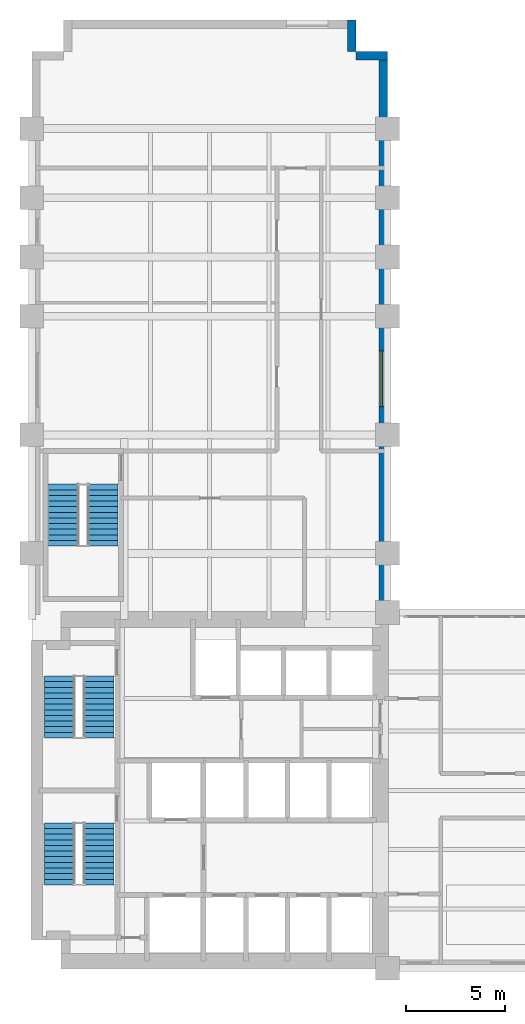
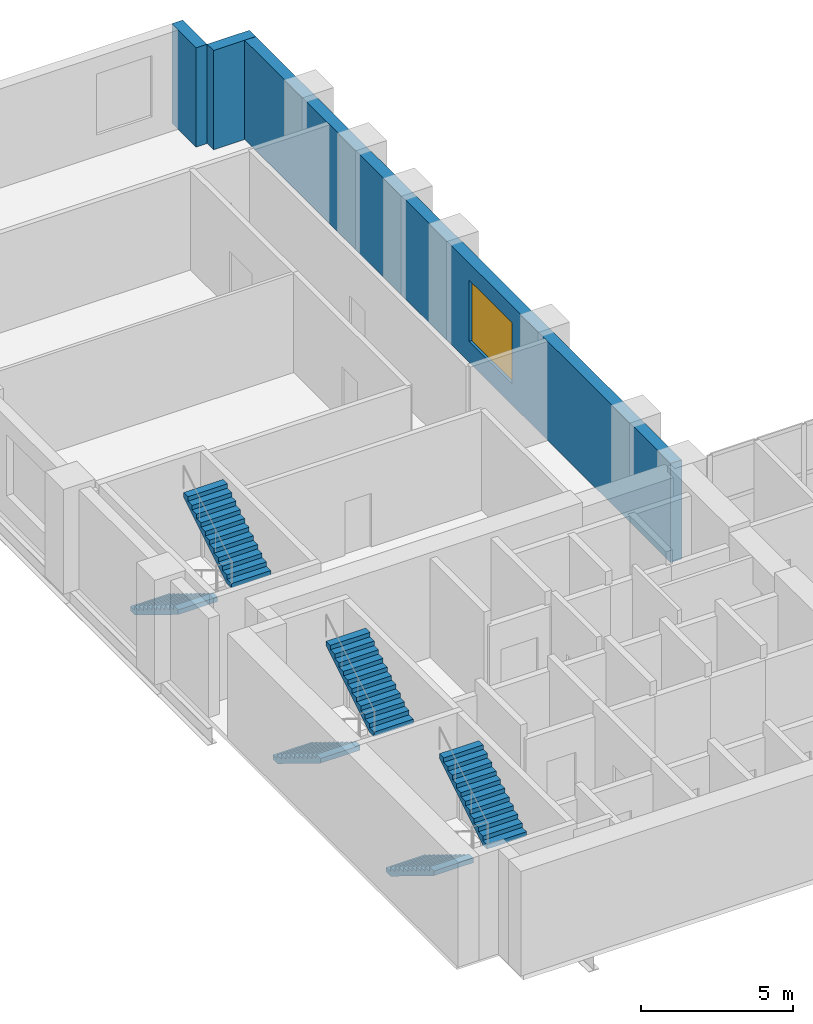
# One storey, part 8 of 9: 6 stair flights, 3 walls, 1 window, 1 opening, 3 elements without a shape of their own.
"""IFC4 building model written with IfcOpenShell, lengths in metres."""

import ifcopenshell
import ifcopenshell.guid

model = None  # the IFC model being written
_history = None  # IfcOwnerHistory: only IFC2X3 demands one
_inside = {}  # id of a spatial element -> (the spatial element, [elements in it])
_under = {}  # id of a project, library or spatial element -> (it, [spatial elements below it])
_declared = {}  # id of a project -> (the project, [libraries it declares])
_typed = {}  # id of a type object -> (the type object, [elements of that type])
_made_of = {}  # id of a material, layer set ... -> (it, [elements and type objects made of it])


def new_model(schema):
    """Start an empty IFC model of exactly this schema.

    Asked for "IFC4X3", IfcOpenShell would pick the latest addendum, in which some entities
    have other attributes; the version numbers below select the first issue.
    IFC2X3 requires an IfcOwnerHistory on every rooted entity: one is made here for all.
    """
    global model, _history
    if schema == "IFC4X3":
        model = ifcopenshell.file(schema_version=(4, 3, 0, 0))
    else:
        model = ifcopenshell.file(schema=schema)
    _inside.clear()
    _under.clear()
    _declared.clear()
    _typed.clear()
    _made_of.clear()
    _history = None
    if model.schema == "IFC2X3":
        org = make("IfcOrganization", Name="unknown")
        user = make(
            "IfcPersonAndOrganization",
            ThePerson=make("IfcPerson", FamilyName="unknown"),
            TheOrganization=org,
        )
        app = make(
            "IfcApplication",
            ApplicationDeveloper=org,
            Version="unknown",
            ApplicationFullName="unknown",
            ApplicationIdentifier="unknown",
        )
        _history = make(
            "IfcOwnerHistory",
            OwningUser=user,
            OwningApplication=app,
            ChangeAction="ADDED",
            CreationDate=0,
        )
    return model


def make(cls, **values):
    """One entity of the class cls with the attributes given. An attribute that is None is left unset."""
    return model.create_entity(
        cls, **{name: value for name, value in values.items() if value is not None}
    )


def rooted(cls, **values):
    """An entity with a GlobalId (a new one), such as an element, a storey or a relation."""
    return make(cls, GlobalId=ifcopenshell.guid.new(), OwnerHistory=_history, **values)


def si_unit(unit_type, name, prefix=None):
    """IfcSIUnit, for example si_unit("LENGTHUNIT", "METRE", prefix="MILLI")."""
    return make("IfcSIUnit", UnitType=unit_type, Prefix=prefix, Name=name)


def assignment(units):
    """IfcUnitAssignment: the units of a project."""
    return None if units is None else make("IfcUnitAssignment", Units=units)


def point(xyz):
    """IfcCartesianPoint."""
    return None if xyz is None else make("IfcCartesianPoint", Coordinates=xyz)


def direction(xyz):
    """IfcDirection."""
    return None if xyz is None else make("IfcDirection", DirectionRatios=xyz)


def frame(location, z_axis=None, x_axis=None):
    """IfcAxis2Placement3D, a coordinate frame: its origin and axes. An axis left out is left unset."""
    return make(
        "IfcAxis2Placement3D",
        Location=point(location),
        Axis=direction(z_axis),
        RefDirection=direction(x_axis),
    )


def frame_2d(location, x_axis=None):
    """IfcAxis2Placement2D, a coordinate frame in the plane: its origin and x axis."""
    return make(
        "IfcAxis2Placement2D", Location=point(location), RefDirection=direction(x_axis)
    )


def origin():
    """The frame at (0, 0, 0) with its axes left unset."""
    return frame((0.0, 0.0, 0.0))


def place(relative_to, where):
    """IfcLocalPlacement: puts the frame where relative to a parent placement (None: the world)."""
    return make(
        "IfcLocalPlacement", PlacementRelTo=relative_to, RelativePlacement=where
    )


def context(
    kind, dimensions, precision=None, world=None, true_north=None, identifier=None
):
    """IfcGeometricRepresentationContext, for example the 3D "Model" context."""
    return make(
        "IfcGeometricRepresentationContext",
        ContextIdentifier=identifier,
        ContextType=kind,
        CoordinateSpaceDimension=dimensions,
        Precision=precision,
        WorldCoordinateSystem=world,
        TrueNorth=true_north,
    )


def subcontext(parent, identifier, kind, view, scale=None):
    """IfcGeometricRepresentationSubContext, for example "Body" below "Model"."""
    return make(
        "IfcGeometricRepresentationSubContext",
        ContextIdentifier=identifier,
        ContextType=kind,
        ParentContext=parent,
        TargetScale=scale,
        TargetView=view,
    )


def project(units=None, contexts=None):
    """IfcProject with its units and contexts."""
    return rooted(
        "IfcProject",
        Name="project",
        RepresentationContexts=contexts,
        UnitsInContext=assignment(units),
    )


def spatial(cls, under=None, at=None, **own):
    """A site, building, storey or space (cls), placed at a placement, below another one or the project."""
    s = rooted(cls, ObjectPlacement=at, **own)
    if under is not None:
        _under.setdefault(under.id(), (under, []))[1].append(s)
    return s


def polyline(points):
    """IfcPolyline through the points."""
    return make("IfcPolyline", Points=[point(p) for p in points])


def profile(cls, at=None, kind="AREA", **sizes):
    """A parametric profile (cls). Its sizes go by their IFC names, for example OverallWidth=200.0."""
    return make(cls, ProfileType=kind, Position=at, **sizes)


def rectangle(**sizes):
    """IfcRectangleProfileDef."""
    return profile("IfcRectangleProfileDef", **sizes)


def outline(outer, holes=None, kind="AREA"):
    """IfcArbitraryClosedProfileDef: a profile drawn as a closed curve; with holes, ...WithVoids."""
    if holes is None:
        return make("IfcArbitraryClosedProfileDef", ProfileType=kind, OuterCurve=outer)
    return make(
        "IfcArbitraryProfileDefWithVoids",
        ProfileType=kind,
        OuterCurve=outer,
        InnerCurves=holes,
    )


def extrude(swept, where, along, depth):
    """IfcExtrudedAreaSolid: the profile swept, set in the frame where, extruded along a direction by depth."""
    return make(
        "IfcExtrudedAreaSolid",
        SweptArea=swept,
        Position=where,
        ExtrudedDirection=direction(along),
        Depth=depth,
    )


def shape(context_of_items, identifier, shape_type, items):
    """IfcShapeRepresentation: the items that make up one representation, for example the "Body"."""
    return make(
        "IfcShapeRepresentation",
        ContextOfItems=context_of_items,
        RepresentationIdentifier=identifier,
        RepresentationType=shape_type,
        Items=items,
    )


def material(Name=None, Category=None):
    """IfcMaterial."""
    return make("IfcMaterial", Name=Name, Category=Category)


def layer(
    of_material, thickness, ventilated=None, Name=None, Category=None, Priority=None
):
    """IfcMaterialLayer: one layer of a wall or slab, of a material (None: an air gap)."""
    return make(
        "IfcMaterialLayer",
        Material=of_material,
        LayerThickness=thickness,
        IsVentilated=ventilated,
        Name=Name,
        Category=Category,
        Priority=Priority,
    )


def layer_set(layers, Name=None):
    """IfcMaterialLayerSet."""
    return make("IfcMaterialLayerSet", MaterialLayers=layers, LayerSetName=Name)


def made_of(thing, what):
    """Note that an element or type object is made of a material, layer set ...; save() writes the relation."""
    if what is not None:
        _made_of.setdefault(what.id(), (what, []))[1].append(thing)
    return thing


def type_object(cls, material=None, **own):
    """A type object (cls), such as IfcWallType, which elements share."""
    return made_of(rooted(cls, **own), material)


def element(
    cls,
    number,
    at=None,
    inside=None,
    cuts=None,
    type_object=None,
    material=None,
    context=None,
    identifier="Body",
    shape_type=None,
    held_by="IfcProductDefinitionShape",
    body=None,
    shapes=None,
    **own,
):
    """One element of the class cls, such as IfcWall. Its Tag is "e" and its number.

    at: its placement. inside: the storey or other place that contains it. cuts: it is an
    opening in that element (IfcRelVoidsElement). A single representation is given by context,
    identifier, shape_type and body (its items); several are given by shapes. held_by: the class
    of the entity that holds the representations. save() writes the other relations.
    """
    e = rooted(cls, Tag="e%d" % number, ObjectPlacement=at, **own)
    if body is not None:
        shapes = [shape(context, identifier, shape_type, body)]
    if shapes is not None:
        e.Representation = make(held_by, Representations=shapes)
    if inside is not None:
        _inside.setdefault(inside.id(), (inside, []))[1].append(e)
    if cuts is not None:
        rooted(
            "IfcRelVoidsElement", RelatingBuildingElement=cuts, RelatedOpeningElement=e
        )
    if type_object is not None:
        _typed.setdefault(type_object.id(), (type_object, []))[1].append(e)
    return made_of(e, material)


def fill(opening, filler):
    """IfcRelFillsElement: the door or window that sits in an opening."""
    return rooted(
        "IfcRelFillsElement",
        RelatingOpeningElement=opening,
        RelatedBuildingElement=filler,
    )


def aggregate(whole, parts):
    """IfcRelAggregates: a whole, such as a stair, and the parts it consists of."""
    return rooted("IfcRelAggregates", RelatingObject=whole, RelatedObjects=parts)


def save(model, path):
    """Write the relations noted so far, then the file.

    IfcRelAggregates (storeys below a building ...), IfcRelContainedInSpatialStructure (elements
    in a storey), IfcRelDefinesByType, IfcRelAssociatesMaterial and IfcRelDeclares: one each for
    every whole, place, type object, material and project.
    """
    for whole, parts in _under.values():
        aggregate(whole, parts)
    for where, things in _inside.values():
        rooted(
            "IfcRelContainedInSpatialStructure",
            RelatedElements=things,
            RelatingStructure=where,
        )
    for kind, things in _typed.values():
        rooted("IfcRelDefinesByType", RelatedObjects=things, RelatingType=kind)
    for what, things in _made_of.values():
        rooted("IfcRelAssociatesMaterial", RelatedObjects=things, RelatingMaterial=what)
    for by, libraries in _declared.values():
        rooted("IfcRelDeclares", RelatingContext=by, RelatedDefinitions=libraries)
    model.write(path)


model = new_model("IFC4")

# Units and contexts
model_context = context("Model", 3, precision=1e-05, world=origin(), true_north=direction((0.0, 1.0)))
body_context = subcontext(model_context, "Body", "Model", "MODEL_VIEW")
ifc_project = project(units=[si_unit("LENGTHUNIT", "METRE"), si_unit("AREAUNIT", "SQUARE_METRE"), si_unit("VOLUMEUNIT", "CUBIC_METRE"), si_unit("PLANEANGLEUNIT", "RADIAN"), si_unit("MASSUNIT", "GRAM", prefix="KILO")], contexts=[model_context])

# Site, building, storey
site_placement = place(None, origin())
site = spatial("IfcSite", under=ifc_project, at=site_placement, CompositionType="ELEMENT")
building_placement = place(site_placement, origin())
building = spatial("IfcBuilding", under=site, at=building_placement, Name="Mawjdan Bourse Tower", CompositionType="ELEMENT")
storey_placement = place(building_placement, frame((0.0, 0.0, 51.0)))
storey = spatial("IfcBuildingStorey", under=building, at=storey_placement, Name="L11", CompositionType="ELEMENT", Elevation=51.0)

# Wall, opening, window
ifc_material_1 = material(Name="Brick Masonry Buff", Category="masonry")
ifc_layer = layer(ifc_material_1, 0.419921875)
ifc_layer_set = layer_set([ifc_layer], Name="Brick Masonry Buff")
wall_type = type_object("IfcWallType", Name="WL-BRK-BUFF-420", PredefinedType="STANDARD", material=ifc_layer_set)
wall_placement = place(storey_placement, frame((23.7900390625, 21.0, 0.0), z_axis=(0.0, 0.0, 1.0), x_axis=(0.0, 1.0, 0.0)))
wall = element("IfcWall", 1, at=wall_placement, inside=storey, type_object=wall_type, Name="L11 Exterior Brick Wall 8", PredefinedType="STANDARD", context=body_context, shape_type="SweptSolid", body=[
    extrude(rectangle(XDim=28.39990234375, YDim=0.419921875, at=frame_2d((14.199951171875, 0.0))), origin(), (0.0, 0.0, 1.0), 3.97998046875),
])
opening_placement = place(wall_placement, frame((10.433349609375, 0.0, 0.85009765625)))
opening = element("IfcOpeningElement", 2, at=opening_placement, cuts=wall, Name="Opening W-L11-03", PredefinedType="OPENING", context=body_context, shape_type="SweptSolid", body=[
    extrude(rectangle(XDim=2.800048828125, YDim=2.449951171875, at=frame_2d((1.39990234375, 1.22509765625))), frame((0.0, 0.219970703125, 0.0), z_axis=(0.0, -1.0, 0.0), x_axis=(1.0, 0.0, 0.0)), (0.0, 0.0, 1.0), 0.43994140625),
])
ifc_material_2 = material(Name="Solar-Control Clear Double Glazing", Category="glass")
window_type = type_object("IfcWindowType", Name="WN-TRD-2800", PartitioningType="SINGLE_PANEL", PredefinedType="WINDOW", material=ifc_material_2)
window_placement = place(opening_placement, origin())
window = element("IfcWindow", 3, at=window_placement, inside=storey, type_object=window_type, Name="L11 Deep-Set Masonry Window W-L11-03", OverallHeight=2.449951171875, OverallWidth=2.800048828125, PartitioningType="SINGLE_PANEL", PredefinedType="WINDOW", context=body_context, shape_type="SweptSolid", body=[
    extrude(rectangle(XDim=2.800048828125, YDim=2.449951171875, at=frame_2d((1.39990234375, 1.22509765625))), frame((0.0, 0.110107421875, 0.0), z_axis=(0.0, -1.0, 0.0), x_axis=(1.0, 0.0, 0.0)), (0.0, 0.0, 1.0), 0.06005859375),
])
fill(opening, window)

# Walls
for number, where, z_axis, x_axis, name in (
    (4, (24.0, 49.18994140625, 0.0), (0.0, 0.0, 1.0), (-1.0, 0.0, 0.0), "L11 Exterior Brick Wall 9"),
    (5, (22.18994140625, 49.39990234375, 0.0), (0.0, 0.0, 1.0), (0.0, 1.0, 0.0), "L11 Exterior Brick Wall 10"),
):
    element("IfcWall", number, at=place(storey_placement, frame(where, z_axis=z_axis, x_axis=x_axis)), inside=storey, type_object=wall_type, Name=name, PredefinedType="STANDARD", context=body_context, shape_type="SweptSolid", body=[
        extrude(rectangle(XDim=1.60009765625, YDim=0.419921875, at=frame_2d((0.800048828125, 0.0))), origin(), (0.0, 0.0, 1.0), 3.97998046875),
    ])

# Stair, stair flights
ifc_material_3 = material(Name="Concrete C50/60", Category="concrete")
stair_type = type_object("IfcStairType", Name="STR-CORE-1500", PredefinedType="HALF_TURN_STAIR", material=ifc_material_3)
stair_1_placement = place(storey_placement, origin())
stair_1 = element("IfcStair", 6, at=stair_1_placement, inside=storey, type_object=stair_type, Name="L11 Exit Stair 1 (Core South-West)", PredefinedType="HALF_TURN_STAIR")
stair_flight_type = type_object("IfcStairFlightType", Name="SFL-RC-1500", PredefinedType="STRAIGHT", material=ifc_material_3)
stair_flight_1_placement = place(storey_placement, frame((7.389892578125, 10.35009765625, 0.0), z_axis=(0.0, 0.0, 1.0), x_axis=(0.0, -1.0, 0.0)))
stair_flight_1 = element("IfcStairFlight", 7, at=stair_flight_1_placement, type_object=stair_flight_type, Name="ST1-L11 flight 1", NumberOfRisers=12, NumberOfTreads=11, PredefinedType="STRAIGHT", RiserHeight=0.175, TreadLength=0.285, context=body_context, shape_type="SweptSolid", body=[
    extrude(outline(polyline([(0.0, 0.0), (0.0, 0.175048828125), (0.284912109375, 0.175048828125), (0.284912109375, 0.35009765625), (0.570068359375, 0.35009765625), (0.570068359375, 0.52490234375), (0.85498046875, 0.52490234375), (0.85498046875, 0.699951171875), (1.139892578125, 0.699951171875), (1.139892578125, 0.875), (1.425048828125, 0.875), (1.425048828125, 1.050048828125), (1.7099609375, 1.050048828125), (1.7099609375, 1.22509765625), (1.9951171875, 1.22509765625), (1.9951171875, 1.39990234375), (2.280029296875, 1.39990234375), (2.280029296875, 1.574951171875), (2.56494140625, 1.574951171875), (2.56494140625, 1.75), (2.85009765625, 1.75), (2.85009765625, 1.925048828125), (3.135009765625, 1.925048828125), (3.135009765625, 2.10009765625), (3.135009765625, 1.7373046875), (0.3056640625, 0.0), (0.0, 0.0)])), frame((0.0, 0.75, 0.0), z_axis=(0.0, -1.0, 0.0), x_axis=(1.0, 0.0, 0.0)), (0.0, 0.0, 1.0), 1.5),
])
stair_flight_2_placement = place(storey_placement, frame((9.409912109375, 7.215087890625, 2.10009765625), z_axis=(0.0, 0.0, 1.0), x_axis=(0.0, 1.0, 0.0)))
stair_flight_2 = element("IfcStairFlight", 8, at=stair_flight_2_placement, type_object=stair_flight_type, Name="ST1-L11 flight 2", NumberOfRisers=12, NumberOfTreads=11, PredefinedType="STRAIGHT", RiserHeight=0.175, TreadLength=0.285, context=body_context, shape_type="SweptSolid", body=[
    extrude(outline(polyline([(0.0, 0.0), (0.0, 0.175048828125), (0.284912109375, 0.175048828125), (0.284912109375, 0.35009765625), (0.570068359375, 0.35009765625), (0.570068359375, 0.52490234375), (0.85498046875, 0.52490234375), (0.85498046875, 0.699951171875), (1.139892578125, 0.699951171875), (1.139892578125, 0.875), (1.425048828125, 0.875), (1.425048828125, 1.050048828125), (1.7099609375, 1.050048828125), (1.7099609375, 1.22509765625), (1.9951171875, 1.22509765625), (1.9951171875, 1.39990234375), (2.280029296875, 1.39990234375), (2.280029296875, 1.574951171875), (2.56494140625, 1.574951171875), (2.56494140625, 1.75), (2.85009765625, 1.75), (2.85009765625, 1.925048828125), (3.135009765625, 1.925048828125), (3.135009765625, 2.10009765625), (3.135009765625, 1.7373046875), (0.3056640625, 0.0), (0.0, 0.0)])), frame((0.0, 0.75, 0.0), z_axis=(0.0, -1.0, 0.0), x_axis=(1.0, 0.0, 0.0)), (0.0, 0.0, 1.0), 1.5),
])
aggregate(stair_1, [stair_flight_1, stair_flight_2])

stair_2_placement = place(storey_placement, origin())
stair_2 = element("IfcStair", 9, at=stair_2_placement, inside=storey, type_object=stair_type, Name="L11 Exit Stair 2 (Core North-West)", PredefinedType="HALF_TURN_STAIR")
stair_flight_3_placement = place(storey_placement, frame((7.389892578125, 17.7900390625, 0.0), z_axis=(0.0, 0.0, 1.0), x_axis=(0.0, -1.0, 0.0)))
stair_flight_3 = element("IfcStairFlight", 10, at=stair_flight_3_placement, type_object=stair_flight_type, Name="ST2-L11 flight 1", NumberOfRisers=12, NumberOfTreads=11, PredefinedType="STRAIGHT", RiserHeight=0.175, TreadLength=0.285, context=body_context, shape_type="SweptSolid", body=[
    extrude(outline(polyline([(0.0, 0.0), (0.0, 0.175048828125), (0.284912109375, 0.175048828125), (0.284912109375, 0.35009765625), (0.570068359375, 0.35009765625), (0.570068359375, 0.52490234375), (0.85498046875, 0.52490234375), (0.85498046875, 0.699951171875), (1.139892578125, 0.699951171875), (1.139892578125, 0.875), (1.425048828125, 0.875), (1.425048828125, 1.050048828125), (1.7099609375, 1.050048828125), (1.7099609375, 1.22509765625), (1.9951171875, 1.22509765625), (1.9951171875, 1.39990234375), (2.280029296875, 1.39990234375), (2.280029296875, 1.574951171875), (2.56494140625, 1.574951171875), (2.56494140625, 1.75), (2.85009765625, 1.75), (2.85009765625, 1.925048828125), (3.135009765625, 1.925048828125), (3.135009765625, 2.10009765625), (3.135009765625, 1.7373046875), (0.3056640625, 0.0), (0.0, 0.0)])), frame((0.0, 0.75, 0.0), z_axis=(0.0, -1.0, 0.0), x_axis=(1.0, 0.0, 0.0)), (0.0, 0.0, 1.0), 1.5),
])
stair_flight_4_placement = place(storey_placement, frame((9.409912109375, 14.655029296875, 2.10009765625), z_axis=(0.0, 0.0, 1.0), x_axis=(0.0, 1.0, 0.0)))
stair_flight_4 = element("IfcStairFlight", 11, at=stair_flight_4_placement, type_object=stair_flight_type, Name="ST2-L11 flight 2", NumberOfRisers=12, NumberOfTreads=11, PredefinedType="STRAIGHT", RiserHeight=0.175, TreadLength=0.285, context=body_context, shape_type="SweptSolid", body=[
    extrude(outline(polyline([(0.0, 0.0), (0.0, 0.175048828125), (0.284912109375, 0.175048828125), (0.284912109375, 0.35009765625), (0.570068359375, 0.35009765625), (0.570068359375, 0.52490234375), (0.85498046875, 0.52490234375), (0.85498046875, 0.699951171875), (1.139892578125, 0.699951171875), (1.139892578125, 0.875), (1.425048828125, 0.875), (1.425048828125, 1.050048828125), (1.7099609375, 1.050048828125), (1.7099609375, 1.22509765625), (1.9951171875, 1.22509765625), (1.9951171875, 1.39990234375), (2.280029296875, 1.39990234375), (2.280029296875, 1.574951171875), (2.56494140625, 1.574951171875), (2.56494140625, 1.75), (2.85009765625, 1.75), (2.85009765625, 1.925048828125), (3.135009765625, 1.925048828125), (3.135009765625, 2.10009765625), (3.135009765625, 1.7373046875), (0.3056640625, 0.0), (0.0, 0.0)])), frame((0.0, 0.75, 0.0), z_axis=(0.0, -1.0, 0.0), x_axis=(1.0, 0.0, 0.0)), (0.0, 0.0, 1.0), 1.5),
])
aggregate(stair_2, [stair_flight_3, stair_flight_4])

stair_3_placement = place(storey_placement, origin())
stair_3 = element("IfcStair", 12, at=stair_3_placement, inside=storey, type_object=stair_type, Name="L11 Exit Stair 3 (North Wing)", PredefinedType="HALF_TURN_STAIR")
stair_flight_5_placement = place(storey_placement, frame((7.590087890625, 27.5, 0.0), z_axis=(0.0, 0.0, 1.0), x_axis=(0.0, -1.0, 0.0)))
stair_flight_5 = element("IfcStairFlight", 13, at=stair_flight_5_placement, type_object=stair_flight_type, Name="ST3-L11 flight 1", NumberOfRisers=12, NumberOfTreads=11, PredefinedType="STRAIGHT", RiserHeight=0.175, TreadLength=0.285, context=body_context, shape_type="SweptSolid", body=[
    extrude(outline(polyline([(0.0, 0.0), (0.0, 0.175048828125), (0.284912109375, 0.175048828125), (0.284912109375, 0.35009765625), (0.570068359375, 0.35009765625), (0.570068359375, 0.52490234375), (0.85498046875, 0.52490234375), (0.85498046875, 0.699951171875), (1.139892578125, 0.699951171875), (1.139892578125, 0.875), (1.425048828125, 0.875), (1.425048828125, 1.050048828125), (1.7099609375, 1.050048828125), (1.7099609375, 1.22509765625), (1.9951171875, 1.22509765625), (1.9951171875, 1.39990234375), (2.280029296875, 1.39990234375), (2.280029296875, 1.574951171875), (2.56494140625, 1.574951171875), (2.56494140625, 1.75), (2.85009765625, 1.75), (2.85009765625, 1.925048828125), (3.135009765625, 1.925048828125), (3.135009765625, 2.10009765625), (3.135009765625, 1.7373046875), (0.3056640625, 0.0), (0.0, 0.0)])), frame((0.0, 0.75, 0.0), z_axis=(0.0, -1.0, 0.0), x_axis=(1.0, 0.0, 0.0)), (0.0, 0.0, 1.0), 1.5),
])
stair_flight_6_placement = place(storey_placement, frame((9.610107421875, 24.364990234375, 2.10009765625), z_axis=(0.0, 0.0, 1.0), x_axis=(0.0, 1.0, 0.0)))
stair_flight_6 = element("IfcStairFlight", 14, at=stair_flight_6_placement, type_object=stair_flight_type, Name="ST3-L11 flight 2", NumberOfRisers=12, NumberOfTreads=11, PredefinedType="STRAIGHT", RiserHeight=0.175, TreadLength=0.285, context=body_context, shape_type="SweptSolid", body=[
    extrude(outline(polyline([(0.0, 0.0), (0.0, 0.175048828125), (0.284912109375, 0.175048828125), (0.284912109375, 0.35009765625), (0.570068359375, 0.35009765625), (0.570068359375, 0.52490234375), (0.85498046875, 0.52490234375), (0.85498046875, 0.699951171875), (1.139892578125, 0.699951171875), (1.139892578125, 0.875), (1.425048828125, 0.875), (1.425048828125, 1.050048828125), (1.7099609375, 1.050048828125), (1.7099609375, 1.22509765625), (1.9951171875, 1.22509765625), (1.9951171875, 1.39990234375), (2.280029296875, 1.39990234375), (2.280029296875, 1.574951171875), (2.56494140625, 1.574951171875), (2.56494140625, 1.75), (2.85009765625, 1.75), (2.85009765625, 1.925048828125), (3.135009765625, 1.925048828125), (3.135009765625, 2.10009765625), (3.135009765625, 1.7373046875), (0.3056640625, 0.0), (0.0, 0.0)])), frame((0.0, 0.75, 0.0), z_axis=(0.0, -1.0, 0.0), x_axis=(1.0, 0.0, 0.0)), (0.0, 0.0, 1.0), 1.5),
])
aggregate(stair_3, [stair_flight_5, stair_flight_6])

save(model, "model.ifc")
